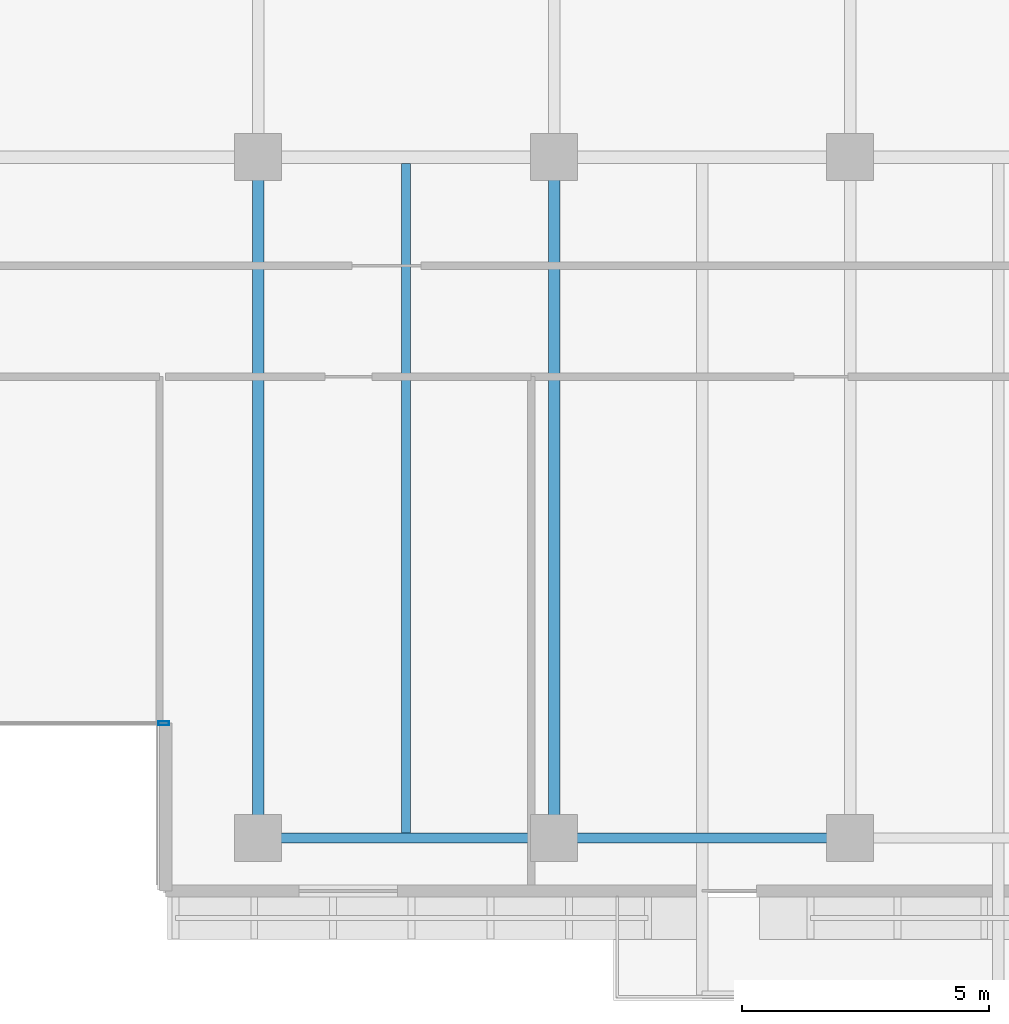
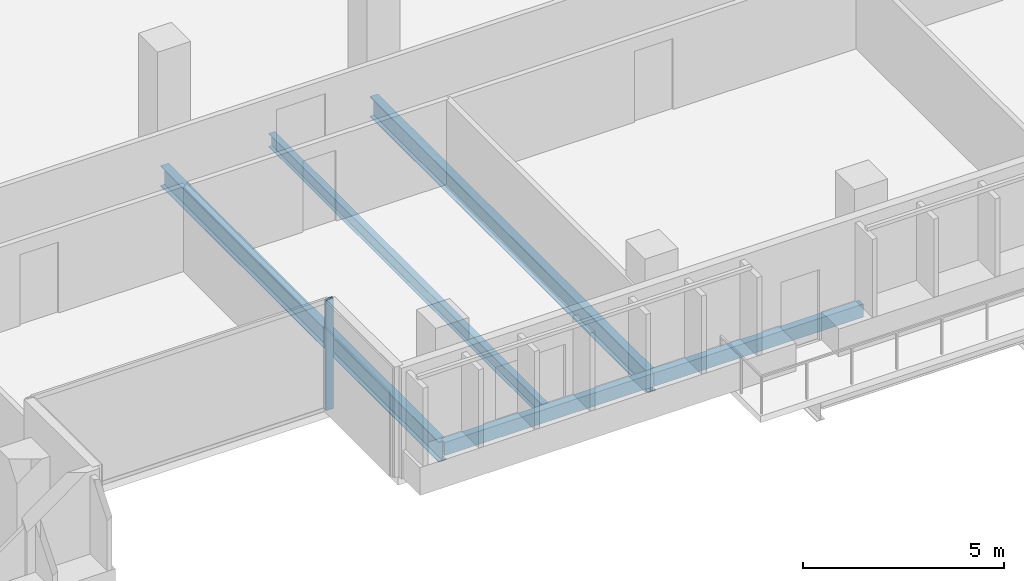
# One storey, part 4 of 23: 5 beams, 1 member, 1 element without a shape of its own.
"""IFC4 building model written with IfcOpenShell, lengths in metres."""

from ifc_helpers import new_model, si_unit, direction, frame, origin, origin_2d, place, context, subcontext, project, spatial, hollow_rectangle, i_section, extrude, material, layer, layer_set, material_profile, profile_set, type_object, element, aggregate, save


model = new_model("IFC4")

# Units and contexts
model_context = context("Model", 3, precision=1e-05, world=origin(), true_north=direction((0.0, 1.0)))
body_context = subcontext(model_context, "Body", "Model", "MODEL_VIEW")
ifc_project = project(units=[si_unit("LENGTHUNIT", "METRE"), si_unit("AREAUNIT", "SQUARE_METRE"), si_unit("VOLUMEUNIT", "CUBIC_METRE"), si_unit("PLANEANGLEUNIT", "RADIAN"), si_unit("MASSUNIT", "GRAM", prefix="KILO")], contexts=[model_context])

# Site, building, storey
site_placement = place(None, origin())
site = spatial("IfcSite", under=ifc_project, at=site_placement, CompositionType="ELEMENT")
building_placement = place(site_placement, origin())
building = spatial("IfcBuilding", under=site, at=building_placement, Name="Tanjung Sevakor Pilgrim Tower", CompositionType="ELEMENT")
storey_placement = place(building_placement, frame((0.0, 0.0, 119.4599609375)))
storey = spatial("IfcBuildingStorey", under=building, at=storey_placement, Name="L33", CompositionType="ELEMENT", Elevation=119.4599609375)

# Beams
ifc_material_1 = material(Name="Steel S355J2", Category="steel")
ifc_material_profile_1 = material_profile(ifc_material_1, i_section(OverallWidth=0.230224609375, OverallDepth=0.6171875, WebThickness=0.01318359375, FlangeThickness=0.022216796875, FilletRadius=0.0126953125, at=origin_2d()))
ifc_profile_set_1 = profile_set([ifc_material_profile_1], Name="Steel S355J2")
beam_type_1 = type_object("IfcBeamType", Name="BM-B-G3-UB_610x229x140", PredefinedType="BEAM", material=ifc_profile_set_1)
for number, where, z_axis, x_axis, name in (
    (1, (54.0, 10.800048828125, -0.528564453125), (0.0, 1.0, 0.0), (-1.0, 0.0, 0.0), "L33 MAIN Girder 013"),
    (2, (60.0, 10.800048828125, -0.528564453125), (0.0, 1.0, 0.0), (-1.0, 0.0, 0.0), "L33 MAIN Girder 018"),
):
    element("IfcBeam", number, at=place(storey_placement, frame(where, z_axis=z_axis, x_axis=x_axis)), inside=storey, type_object=beam_type_1, Name=name, PredefinedType="BEAM", context=body_context, shape_type="SweptSolid", body=[
        extrude(i_section(OverallWidth=0.230224609375, OverallDepth=0.6171875, WebThickness=0.01318359375, FlangeThickness=0.022216796875, FilletRadius=0.0126953125, at=origin_2d()), origin(), (0.0, 0.0, 1.0), 13.800048828125),
    ])
ifc_material_2 = material(Name="Steel S355J2", Category="steel")
ifc_material_profile_2 = material_profile(ifc_material_2, i_section(OverallWidth=0.1787109375, OverallDepth=0.409423828125, WebThickness=0.0087890625, FlangeThickness=0.014404296875, FilletRadius=0.01025390625, at=origin_2d()))
ifc_profile_set_2 = profile_set([ifc_material_profile_2], Name="Steel S355J2")
beam_type_2 = type_object("IfcBeamType", Name="BM-B-J3-UB_406x178x67", PredefinedType="JOIST", material=ifc_profile_set_2)
beam_placement = place(storey_placement, frame((57.0, 10.89990234375, -0.424560546875), z_axis=(0.0, 1.0, 0.0), x_axis=(-1.0, 0.0, 0.0)))
element("IfcBeam", 3, at=beam_placement, inside=storey, type_object=beam_type_2, Name="L33 MAIN Joist 016", PredefinedType="JOIST", context=body_context, shape_type="SweptSolid", body=[
    extrude(i_section(OverallWidth=0.1787109375, OverallDepth=0.409423828125, WebThickness=0.0087890625, FlangeThickness=0.014404296875, FilletRadius=0.01025390625, at=origin_2d()), origin(), (0.0, 0.0, 1.0), 13.57275390625),
])
ifc_material_3 = material(Name="Steel S355J2", Category="steel")
ifc_material_profile_3 = material_profile(ifc_material_3, hollow_rectangle(XDim=0.199951171875, YDim=0.39990234375, WallThickness=0.01611328125, at=origin_2d()))
ifc_profile_set_3 = profile_set([ifc_material_profile_3], Name="Steel S355J2")
beam_type_3 = type_object("IfcBeamType", Name="BM-B-SP2-RHS_400x200x16", PredefinedType="SPANDREL", material=ifc_profile_set_3)
for number, where, z_axis, x_axis, name in (
    (4, (54.0, 10.800048828125, -0.419921875), (1.0, 0.0, 0.0), (0.0, 1.0, 0.0), "L33 Spandrel MAIN S-07"),
    (5, (60.0, 10.800048828125, -0.419921875), (1.0, 0.0, 0.0), (0.0, 1.0, 0.0), "L33 Spandrel MAIN S-09"),
):
    element("IfcBeam", number, at=place(storey_placement, frame(where, z_axis=z_axis, x_axis=x_axis)), inside=storey, type_object=beam_type_3, Name=name, PredefinedType="SPANDREL", context=body_context, shape_type="SweptSolid", body=[
        extrude(hollow_rectangle(XDim=0.199951171875, YDim=0.39990234375, WallThickness=0.01611328125, at=origin_2d()), origin(), (0.0, 0.0, 1.0), 6.0),
    ])

# Curtain wall, member
ifc_material_4 = material(Name="Aluminium 6063-T6 and Low-E Glass", Category="aluminium")
ifc_layer = layer(ifc_material_4, 0.179931640625)
ifc_layer_set = layer_set([ifc_layer], Name="CW-SYS-CLEFT")
curtain_wall_type = type_object("IfcCurtainWallType", Name="CW-SYS-CLEFT", PredefinedType="NOTDEFINED", material=ifc_layer_set)
curtain_wall_placement = place(storey_placement, origin())
curtain_wall = element("IfcCurtainWall", 6, at=curtain_wall_placement, inside=storey, type_object=curtain_wall_type, Name="L33 Curtain Wall CW-CLF-L33-2", PredefinedType="NOTDEFINED")
ifc_material_5 = material(Name="Aluminium 6063-T6", Category="aluminium")
ifc_material_profile_4 = material_profile(ifc_material_5, hollow_rectangle(XDim=0.074951171875, YDim=0.219970703125, WallThickness=0.0048828125, at=origin_2d()))
ifc_profile_set_4 = profile_set([ifc_material_profile_4], Name="Aluminium 6063-T6")
member_type = type_object("IfcMemberType", Name="TYPE-CWM-2", PredefinedType="MULLION", material=ifc_profile_set_4)
member_placement = place(storey_placement, frame((52.08740234375, 13.125, 0.0), z_axis=(0.0, 0.0, 1.0), x_axis=(0.0, 1.0, 0.0)))
member = element("IfcMember", 7, at=member_placement, type_object=member_type, Name="CW-CLF mullion 2", PredefinedType="MULLION", context=body_context, shape_type="SweptSolid", body=[
    extrude(hollow_rectangle(XDim=0.074951171875, YDim=0.219970703125, WallThickness=0.0048828125, at=origin_2d()), origin(), (0.0, 0.0, 1.0), 3.35009765625),
])
aggregate(curtain_wall, [member])

save(model, "model.ifc")
